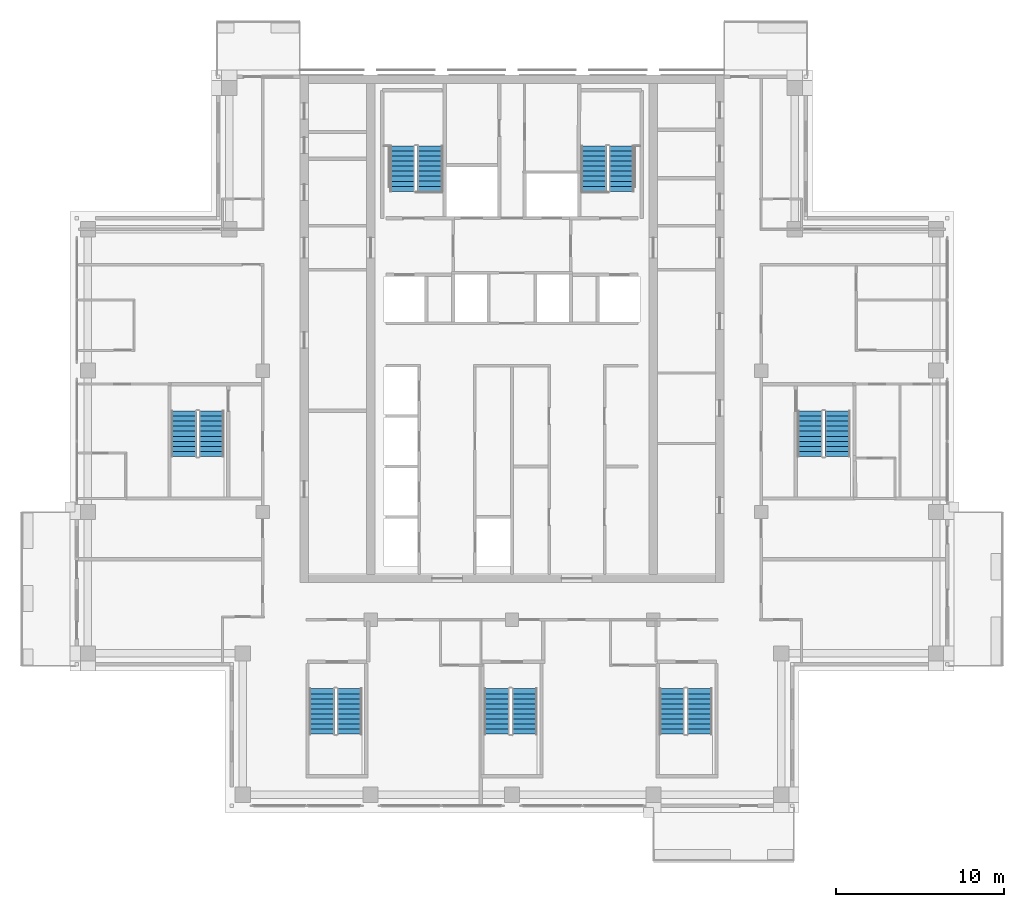
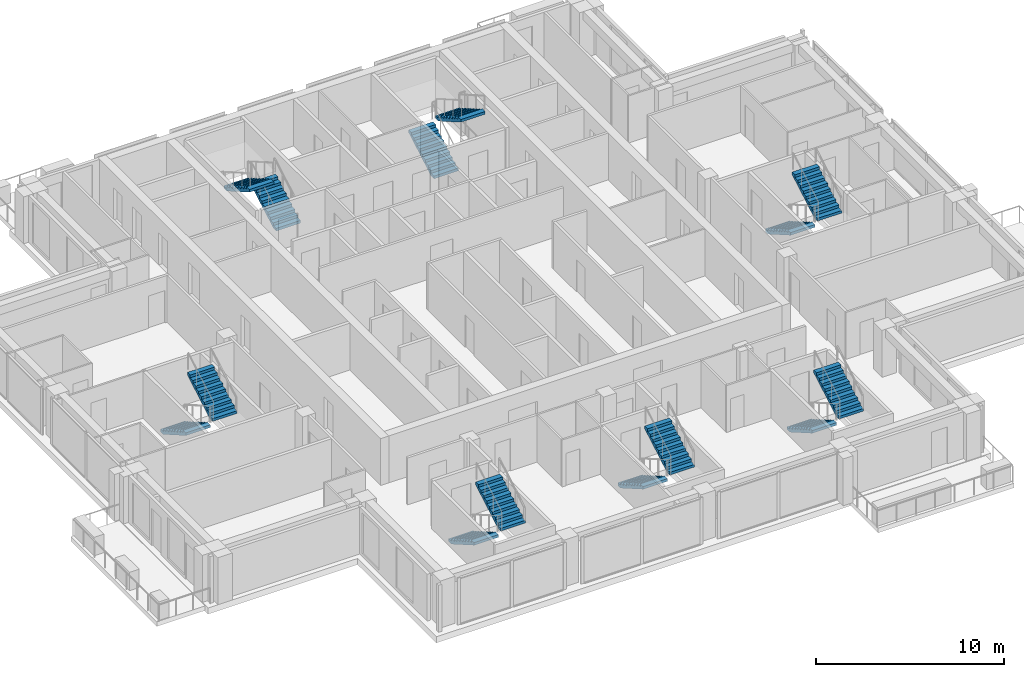
# One storey, part 16 of 19: 14 stair flights, 7 elements without a shape of their own.
"""IFC4 building model written with IfcOpenShell, lengths in metres."""

from ifc_helpers import new_model, si_unit, direction, frame, origin, place, context, subcontext, project, spatial, polyline, outline, extrude, material, type_object, element, aggregate, save


model = new_model("IFC4")

# Units and contexts
model_context = context("Model", 3, precision=1e-05, world=origin(), true_north=direction((0.0, 1.0)))
body_context = subcontext(model_context, "Body", "Model", "MODEL_VIEW")
ifc_project = project(units=[si_unit("LENGTHUNIT", "METRE"), si_unit("AREAUNIT", "SQUARE_METRE"), si_unit("VOLUMEUNIT", "CUBIC_METRE"), si_unit("PLANEANGLEUNIT", "RADIAN"), si_unit("MASSUNIT", "GRAM", prefix="KILO")], contexts=[model_context])

# Site, building, storey
site_placement = place(None, origin())
site = spatial("IfcSite", under=ifc_project, at=site_placement, CompositionType="ELEMENT")
building_placement = place(site_placement, origin())
building = spatial("IfcBuilding", under=site, at=building_placement, Name="Vermilion Ogive Tower", CompositionType="ELEMENT")
storey_placement = place(building_placement, frame((0.0, 0.0, 226.89990234375)))
storey = spatial("IfcBuildingStorey", under=building, at=storey_placement, Name="L59", CompositionType="ELEMENT", Elevation=226.89990234375)

# Stair, stair flights
ifc_material_1 = material(Name="Concrete B40", Category="concrete")
stair_type = type_object("IfcStairType", Name="Exit stair 1500", PredefinedType="HALF_TURN_STAIR", material=ifc_material_1)
stair_1_placement = place(storey_placement, origin())
stair_1 = element("IfcStair", 1, at=stair_1_placement, inside=storey, type_object=stair_type, Name="L59 Exit Stair ST1", PredefinedType="HALF_TURN_STAIR")
ifc_material_2 = material(Name="Concrete B40", Category="concrete")
stair_flight_type = type_object("IfcStairFlightType", Name="Stair flight 1500", PredefinedType="STRAIGHT", material=ifc_material_2)
stair_flight_1_placement = place(storey_placement, frame((-4.85009765625, 14.85009765625, 0.0), z_axis=(0.0, 0.0, 1.0), x_axis=(0.0, 1.0, 0.0)))
stair_flight_1 = element("IfcStairFlight", 2, at=stair_flight_1_placement, type_object=stair_flight_type, Name="ST1 flight 1", NumberOfRisers=10, NumberOfTreads=9, PredefinedType="STRAIGHT", RiserHeight=0.1725, TreadLength=0.3, context=body_context, shape_type="SweptSolid", body=[
    extrude(outline(polyline([(0.0, 0.0), (0.0, 0.172607421875), (0.300048828125, 0.172607421875), (0.300048828125, 0.344970703125), (0.60009765625, 0.344970703125), (0.60009765625, 0.517578125), (0.89990234375, 0.517578125), (0.89990234375, 0.68994140625), (1.199951171875, 0.68994140625), (1.199951171875, 0.862548828125), (1.5, 0.862548828125), (1.5, 1.034912109375), (1.800048828125, 1.034912109375), (1.800048828125, 1.20751953125), (2.10009765625, 1.20751953125), (2.10009765625, 1.3798828125), (2.39990234375, 1.3798828125), (2.39990234375, 1.552490234375), (2.699951171875, 1.552490234375), (2.699951171875, 1.72509765625), (2.699951171875, 1.379638671875), (0.30078125, 0.0), (0.0, 0.0)])), frame((0.0, 0.75, 0.0), z_axis=(0.0, -1.0, 0.0), x_axis=(1.0, 0.0, 0.0)), (0.0, 0.0, 1.0), 1.5),
])
stair_flight_2_placement = place(storey_placement, frame((-6.5, 17.550048828125, 1.72509765625), z_axis=(0.0, 0.0, 1.0), x_axis=(0.0, -1.0, 0.0)))
stair_flight_2 = element("IfcStairFlight", 3, at=stair_flight_2_placement, type_object=stair_flight_type, Name="ST1 flight 2", NumberOfRisers=10, NumberOfTreads=9, PredefinedType="STRAIGHT", RiserHeight=0.1725, TreadLength=0.3, context=body_context, shape_type="SweptSolid", body=[
    extrude(outline(polyline([(0.0, 0.0), (0.0, 0.172607421875), (0.300048828125, 0.172607421875), (0.300048828125, 0.344970703125), (0.60009765625, 0.344970703125), (0.60009765625, 0.517578125), (0.89990234375, 0.517578125), (0.89990234375, 0.68994140625), (1.199951171875, 0.68994140625), (1.199951171875, 0.862548828125), (1.5, 0.862548828125), (1.5, 1.034912109375), (1.800048828125, 1.034912109375), (1.800048828125, 1.20751953125), (2.10009765625, 1.20751953125), (2.10009765625, 1.3798828125), (2.39990234375, 1.3798828125), (2.39990234375, 1.552490234375), (2.699951171875, 1.552490234375), (2.699951171875, 1.72509765625), (2.699951171875, 1.379638671875), (0.30078125, 0.0), (0.0, 0.0)])), frame((0.0, 0.75, 0.0), z_axis=(0.0, -1.0, 0.0), x_axis=(1.0, 0.0, 0.0)), (0.0, 0.0, 1.0), 1.5),
])
aggregate(stair_1, [stair_flight_1, stair_flight_2])

stair_2_placement = place(storey_placement, origin())
stair_2 = element("IfcStair", 4, at=stair_2_placement, inside=storey, type_object=stair_type, Name="L59 Exit Stair ST2", PredefinedType="HALF_TURN_STAIR")
stair_flight_3_placement = place(storey_placement, frame((4.85009765625, 14.85009765625, 0.0), z_axis=(0.0, 0.0, 1.0), x_axis=(0.0, 1.0, 0.0)))
stair_flight_3 = element("IfcStairFlight", 5, at=stair_flight_3_placement, type_object=stair_flight_type, Name="ST2 flight 1", NumberOfRisers=10, NumberOfTreads=9, PredefinedType="STRAIGHT", RiserHeight=0.1725, TreadLength=0.3, context=body_context, shape_type="SweptSolid", body=[
    extrude(outline(polyline([(0.0, 0.0), (0.0, 0.172607421875), (0.300048828125, 0.172607421875), (0.300048828125, 0.344970703125), (0.60009765625, 0.344970703125), (0.60009765625, 0.517578125), (0.89990234375, 0.517578125), (0.89990234375, 0.68994140625), (1.199951171875, 0.68994140625), (1.199951171875, 0.862548828125), (1.5, 0.862548828125), (1.5, 1.034912109375), (1.800048828125, 1.034912109375), (1.800048828125, 1.20751953125), (2.10009765625, 1.20751953125), (2.10009765625, 1.3798828125), (2.39990234375, 1.3798828125), (2.39990234375, 1.552490234375), (2.699951171875, 1.552490234375), (2.699951171875, 1.72509765625), (2.699951171875, 1.379638671875), (0.30078125, 0.0), (0.0, 0.0)])), frame((0.0, 0.75, 0.0), z_axis=(0.0, -1.0, 0.0), x_axis=(1.0, 0.0, 0.0)), (0.0, 0.0, 1.0), 1.5),
])
stair_flight_4_placement = place(storey_placement, frame((6.5, 17.550048828125, 1.72509765625), z_axis=(0.0, 0.0, 1.0), x_axis=(0.0, -1.0, 0.0)))
stair_flight_4 = element("IfcStairFlight", 6, at=stair_flight_4_placement, type_object=stair_flight_type, Name="ST2 flight 2", NumberOfRisers=10, NumberOfTreads=9, PredefinedType="STRAIGHT", RiserHeight=0.1725, TreadLength=0.3, context=body_context, shape_type="SweptSolid", body=[
    extrude(outline(polyline([(0.0, 0.0), (0.0, 0.172607421875), (0.300048828125, 0.172607421875), (0.300048828125, 0.344970703125), (0.60009765625, 0.344970703125), (0.60009765625, 0.517578125), (0.89990234375, 0.517578125), (0.89990234375, 0.68994140625), (1.199951171875, 0.68994140625), (1.199951171875, 0.862548828125), (1.5, 0.862548828125), (1.5, 1.034912109375), (1.800048828125, 1.034912109375), (1.800048828125, 1.20751953125), (2.10009765625, 1.20751953125), (2.10009765625, 1.3798828125), (2.39990234375, 1.3798828125), (2.39990234375, 1.552490234375), (2.699951171875, 1.552490234375), (2.699951171875, 1.72509765625), (2.699951171875, 1.379638671875), (0.30078125, 0.0), (0.0, 0.0)])), frame((0.0, 0.75, 0.0), z_axis=(0.0, -1.0, 0.0), x_axis=(1.0, 0.0, 0.0)), (0.0, 0.0, 1.0), 1.5),
])
aggregate(stair_2, [stair_flight_3, stair_flight_4])

stair_3_placement = place(storey_placement, origin())
stair_3 = element("IfcStair", 7, at=stair_3_placement, inside=storey, type_object=stair_type, Name="L59 Exit Stair ST3", PredefinedType="HALF_TURN_STAIR")
stair_flight_5_placement = place(storey_placement, frame((-11.300048828125, -14.699951171875, 0.0), z_axis=(0.0, 0.0, 1.0), x_axis=(0.0, -1.0, 0.0)))
stair_flight_5 = element("IfcStairFlight", 8, at=stair_flight_5_placement, type_object=stair_flight_type, Name="ST3 flight 1", NumberOfRisers=10, NumberOfTreads=9, PredefinedType="STRAIGHT", RiserHeight=0.1725, TreadLength=0.3, context=body_context, shape_type="SweptSolid", body=[
    extrude(outline(polyline([(0.0, 0.0), (0.0, 0.172607421875), (0.300048828125, 0.172607421875), (0.300048828125, 0.344970703125), (0.60009765625, 0.344970703125), (0.60009765625, 0.517578125), (0.89990234375, 0.517578125), (0.89990234375, 0.68994140625), (1.199951171875, 0.68994140625), (1.199951171875, 0.862548828125), (1.5, 0.862548828125), (1.5, 1.034912109375), (1.800048828125, 1.034912109375), (1.800048828125, 1.20751953125), (2.10009765625, 1.20751953125), (2.10009765625, 1.3798828125), (2.39990234375, 1.3798828125), (2.39990234375, 1.552490234375), (2.699951171875, 1.552490234375), (2.699951171875, 1.72509765625), (2.699951171875, 1.379638671875), (0.30078125, 0.0), (0.0, 0.0)])), frame((0.0, 0.75, 0.0), z_axis=(0.0, -1.0, 0.0), x_axis=(1.0, 0.0, 0.0)), (0.0, 0.0, 1.0), 1.5),
])
stair_flight_6_placement = place(storey_placement, frame((-9.64990234375, -17.39990234375, 1.72509765625), z_axis=(0.0, 0.0, 1.0), x_axis=(0.0, 1.0, 0.0)))
stair_flight_6 = element("IfcStairFlight", 9, at=stair_flight_6_placement, type_object=stair_flight_type, Name="ST3 flight 2", NumberOfRisers=10, NumberOfTreads=9, PredefinedType="STRAIGHT", RiserHeight=0.1725, TreadLength=0.3, context=body_context, shape_type="SweptSolid", body=[
    extrude(outline(polyline([(0.0, 0.0), (0.0, 0.172607421875), (0.300048828125, 0.172607421875), (0.300048828125, 0.344970703125), (0.60009765625, 0.344970703125), (0.60009765625, 0.517578125), (0.89990234375, 0.517578125), (0.89990234375, 0.68994140625), (1.199951171875, 0.68994140625), (1.199951171875, 0.862548828125), (1.5, 0.862548828125), (1.5, 1.034912109375), (1.800048828125, 1.034912109375), (1.800048828125, 1.20751953125), (2.10009765625, 1.20751953125), (2.10009765625, 1.3798828125), (2.39990234375, 1.3798828125), (2.39990234375, 1.552490234375), (2.699951171875, 1.552490234375), (2.699951171875, 1.72509765625), (2.699951171875, 1.379638671875), (0.30078125, 0.0), (0.0, 0.0)])), frame((0.0, 0.75, 0.0), z_axis=(0.0, -1.0, 0.0), x_axis=(1.0, 0.0, 0.0)), (0.0, 0.0, 1.0), 1.5),
])
aggregate(stair_3, [stair_flight_5, stair_flight_6])

stair_4_placement = place(storey_placement, origin())
stair_4 = element("IfcStair", 10, at=stair_4_placement, inside=storey, type_object=stair_type, Name="L59 Exit Stair ST4", PredefinedType="HALF_TURN_STAIR")
stair_flight_7_placement = place(storey_placement, frame((-0.89990234375, -14.699951171875, 0.0), z_axis=(0.0, 0.0, 1.0), x_axis=(0.0, -1.0, 0.0)))
stair_flight_7 = element("IfcStairFlight", 11, at=stair_flight_7_placement, type_object=stair_flight_type, Name="ST4 flight 1", NumberOfRisers=10, NumberOfTreads=9, PredefinedType="STRAIGHT", RiserHeight=0.1725, TreadLength=0.3, context=body_context, shape_type="SweptSolid", body=[
    extrude(outline(polyline([(0.0, 0.0), (0.0, 0.172607421875), (0.300048828125, 0.172607421875), (0.300048828125, 0.344970703125), (0.60009765625, 0.344970703125), (0.60009765625, 0.517578125), (0.89990234375, 0.517578125), (0.89990234375, 0.68994140625), (1.199951171875, 0.68994140625), (1.199951171875, 0.862548828125), (1.5, 0.862548828125), (1.5, 1.034912109375), (1.800048828125, 1.034912109375), (1.800048828125, 1.20751953125), (2.10009765625, 1.20751953125), (2.10009765625, 1.3798828125), (2.39990234375, 1.3798828125), (2.39990234375, 1.552490234375), (2.699951171875, 1.552490234375), (2.699951171875, 1.72509765625), (2.699951171875, 1.379638671875), (0.30078125, 0.0), (0.0, 0.0)])), frame((0.0, 0.75, 0.0), z_axis=(0.0, -1.0, 0.0), x_axis=(1.0, 0.0, 0.0)), (0.0, 0.0, 1.0), 1.5),
])
stair_flight_8_placement = place(storey_placement, frame((0.75, -17.39990234375, 1.72509765625), z_axis=(0.0, 0.0, 1.0), x_axis=(0.0, 1.0, 0.0)))
stair_flight_8 = element("IfcStairFlight", 12, at=stair_flight_8_placement, type_object=stair_flight_type, Name="ST4 flight 2", NumberOfRisers=10, NumberOfTreads=9, PredefinedType="STRAIGHT", RiserHeight=0.1725, TreadLength=0.3, context=body_context, shape_type="SweptSolid", body=[
    extrude(outline(polyline([(0.0, 0.0), (0.0, 0.172607421875), (0.300048828125, 0.172607421875), (0.300048828125, 0.344970703125), (0.60009765625, 0.344970703125), (0.60009765625, 0.517578125), (0.89990234375, 0.517578125), (0.89990234375, 0.68994140625), (1.199951171875, 0.68994140625), (1.199951171875, 0.862548828125), (1.5, 0.862548828125), (1.5, 1.034912109375), (1.800048828125, 1.034912109375), (1.800048828125, 1.20751953125), (2.10009765625, 1.20751953125), (2.10009765625, 1.3798828125), (2.39990234375, 1.3798828125), (2.39990234375, 1.552490234375), (2.699951171875, 1.552490234375), (2.699951171875, 1.72509765625), (2.699951171875, 1.379638671875), (0.30078125, 0.0), (0.0, 0.0)])), frame((0.0, 0.75, 0.0), z_axis=(0.0, -1.0, 0.0), x_axis=(1.0, 0.0, 0.0)), (0.0, 0.0, 1.0), 1.5),
])
aggregate(stair_4, [stair_flight_7, stair_flight_8])

stair_5_placement = place(storey_placement, origin())
stair_5 = element("IfcStair", 13, at=stair_5_placement, inside=storey, type_object=stair_type, Name="L59 Exit Stair ST5", PredefinedType="HALF_TURN_STAIR")
stair_flight_9_placement = place(storey_placement, frame((9.5, -14.699951171875, 0.0), z_axis=(0.0, 0.0, 1.0), x_axis=(0.0, -1.0, 0.0)))
stair_flight_9 = element("IfcStairFlight", 14, at=stair_flight_9_placement, type_object=stair_flight_type, Name="ST5 flight 1", NumberOfRisers=10, NumberOfTreads=9, PredefinedType="STRAIGHT", RiserHeight=0.1725, TreadLength=0.3, context=body_context, shape_type="SweptSolid", body=[
    extrude(outline(polyline([(0.0, 0.0), (0.0, 0.172607421875), (0.300048828125, 0.172607421875), (0.300048828125, 0.344970703125), (0.60009765625, 0.344970703125), (0.60009765625, 0.517578125), (0.89990234375, 0.517578125), (0.89990234375, 0.68994140625), (1.199951171875, 0.68994140625), (1.199951171875, 0.862548828125), (1.5, 0.862548828125), (1.5, 1.034912109375), (1.800048828125, 1.034912109375), (1.800048828125, 1.20751953125), (2.10009765625, 1.20751953125), (2.10009765625, 1.3798828125), (2.39990234375, 1.3798828125), (2.39990234375, 1.552490234375), (2.699951171875, 1.552490234375), (2.699951171875, 1.72509765625), (2.699951171875, 1.379638671875), (0.30078125, 0.0), (0.0, 0.0)])), frame((0.0, 0.75, 0.0), z_axis=(0.0, -1.0, 0.0), x_axis=(1.0, 0.0, 0.0)), (0.0, 0.0, 1.0), 1.5),
])
stair_flight_10_placement = place(storey_placement, frame((11.14990234375, -17.39990234375, 1.72509765625), z_axis=(0.0, 0.0, 1.0), x_axis=(0.0, 1.0, 0.0)))
stair_flight_10 = element("IfcStairFlight", 15, at=stair_flight_10_placement, type_object=stair_flight_type, Name="ST5 flight 2", NumberOfRisers=10, NumberOfTreads=9, PredefinedType="STRAIGHT", RiserHeight=0.1725, TreadLength=0.3, context=body_context, shape_type="SweptSolid", body=[
    extrude(outline(polyline([(0.0, 0.0), (0.0, 0.172607421875), (0.300048828125, 0.172607421875), (0.300048828125, 0.344970703125), (0.60009765625, 0.344970703125), (0.60009765625, 0.517578125), (0.89990234375, 0.517578125), (0.89990234375, 0.68994140625), (1.199951171875, 0.68994140625), (1.199951171875, 0.862548828125), (1.5, 0.862548828125), (1.5, 1.034912109375), (1.800048828125, 1.034912109375), (1.800048828125, 1.20751953125), (2.10009765625, 1.20751953125), (2.10009765625, 1.3798828125), (2.39990234375, 1.3798828125), (2.39990234375, 1.552490234375), (2.699951171875, 1.552490234375), (2.699951171875, 1.72509765625), (2.699951171875, 1.379638671875), (0.30078125, 0.0), (0.0, 0.0)])), frame((0.0, 0.75, 0.0), z_axis=(0.0, -1.0, 0.0), x_axis=(1.0, 0.0, 0.0)), (0.0, 0.0, 1.0), 1.5),
])
aggregate(stair_5, [stair_flight_9, stair_flight_10])

stair_6_placement = place(storey_placement, origin())
stair_6 = element("IfcStair", 16, at=stair_6_placement, inside=storey, type_object=stair_type, Name="L59 Exit Stair ST8", PredefinedType="HALF_TURN_STAIR")
stair_flight_11_placement = place(storey_placement, frame((17.699951171875, 1.800048828125, 0.0), z_axis=(0.0, 0.0, 1.0), x_axis=(0.0, -1.0, 0.0)))
stair_flight_11 = element("IfcStairFlight", 17, at=stair_flight_11_placement, type_object=stair_flight_type, Name="ST8 flight 1", NumberOfRisers=10, NumberOfTreads=9, PredefinedType="STRAIGHT", RiserHeight=0.1725, TreadLength=0.3, context=body_context, shape_type="SweptSolid", body=[
    extrude(outline(polyline([(0.0, 0.0), (0.0, 0.172607421875), (0.300048828125, 0.172607421875), (0.300048828125, 0.344970703125), (0.60009765625, 0.344970703125), (0.60009765625, 0.517578125), (0.89990234375, 0.517578125), (0.89990234375, 0.68994140625), (1.199951171875, 0.68994140625), (1.199951171875, 0.862548828125), (1.5, 0.862548828125), (1.5, 1.034912109375), (1.800048828125, 1.034912109375), (1.800048828125, 1.20751953125), (2.10009765625, 1.20751953125), (2.10009765625, 1.3798828125), (2.39990234375, 1.3798828125), (2.39990234375, 1.552490234375), (2.699951171875, 1.552490234375), (2.699951171875, 1.72509765625), (2.699951171875, 1.379638671875), (0.30078125, 0.0), (0.0, 0.0)])), frame((0.0, 0.75, 0.0), z_axis=(0.0, -1.0, 0.0), x_axis=(1.0, 0.0, 0.0)), (0.0, 0.0, 1.0), 1.5),
])
stair_flight_12_placement = place(storey_placement, frame((19.35009765625, -0.89990234375, 1.72509765625), z_axis=(0.0, 0.0, 1.0), x_axis=(0.0, 1.0, 0.0)))
stair_flight_12 = element("IfcStairFlight", 18, at=stair_flight_12_placement, type_object=stair_flight_type, Name="ST8 flight 2", NumberOfRisers=10, NumberOfTreads=9, PredefinedType="STRAIGHT", RiserHeight=0.1725, TreadLength=0.3, context=body_context, shape_type="SweptSolid", body=[
    extrude(outline(polyline([(0.0, 0.0), (0.0, 0.172607421875), (0.300048828125, 0.172607421875), (0.300048828125, 0.344970703125), (0.60009765625, 0.344970703125), (0.60009765625, 0.517578125), (0.89990234375, 0.517578125), (0.89990234375, 0.68994140625), (1.199951171875, 0.68994140625), (1.199951171875, 0.862548828125), (1.5, 0.862548828125), (1.5, 1.034912109375), (1.800048828125, 1.034912109375), (1.800048828125, 1.20751953125), (2.10009765625, 1.20751953125), (2.10009765625, 1.3798828125), (2.39990234375, 1.3798828125), (2.39990234375, 1.552490234375), (2.699951171875, 1.552490234375), (2.699951171875, 1.72509765625), (2.699951171875, 1.379638671875), (0.30078125, 0.0), (0.0, 0.0)])), frame((0.0, 0.75, 0.0), z_axis=(0.0, -1.0, 0.0), x_axis=(1.0, 0.0, 0.0)), (0.0, 0.0, 1.0), 1.5),
])
aggregate(stair_6, [stair_flight_11, stair_flight_12])

stair_7_placement = place(storey_placement, origin())
stair_7 = element("IfcStair", 19, at=stair_7_placement, inside=storey, type_object=stair_type, Name="L59 Exit Stair ST9", PredefinedType="HALF_TURN_STAIR")
stair_flight_13_placement = place(storey_placement, frame((-19.5, 1.800048828125, 0.0), z_axis=(0.0, 0.0, 1.0), x_axis=(0.0, -1.0, 0.0)))
stair_flight_13 = element("IfcStairFlight", 20, at=stair_flight_13_placement, type_object=stair_flight_type, Name="ST9 flight 1", NumberOfRisers=10, NumberOfTreads=9, PredefinedType="STRAIGHT", RiserHeight=0.1725, TreadLength=0.3, context=body_context, shape_type="SweptSolid", body=[
    extrude(outline(polyline([(0.0, 0.0), (0.0, 0.172607421875), (0.300048828125, 0.172607421875), (0.300048828125, 0.344970703125), (0.60009765625, 0.344970703125), (0.60009765625, 0.517578125), (0.89990234375, 0.517578125), (0.89990234375, 0.68994140625), (1.199951171875, 0.68994140625), (1.199951171875, 0.862548828125), (1.5, 0.862548828125), (1.5, 1.034912109375), (1.800048828125, 1.034912109375), (1.800048828125, 1.20751953125), (2.10009765625, 1.20751953125), (2.10009765625, 1.3798828125), (2.39990234375, 1.3798828125), (2.39990234375, 1.552490234375), (2.699951171875, 1.552490234375), (2.699951171875, 1.72509765625), (2.699951171875, 1.379638671875), (0.30078125, 0.0), (0.0, 0.0)])), frame((0.0, 0.75, 0.0), z_axis=(0.0, -1.0, 0.0), x_axis=(1.0, 0.0, 0.0)), (0.0, 0.0, 1.0), 1.5),
])
stair_flight_14_placement = place(storey_placement, frame((-17.85009765625, -0.89990234375, 1.72509765625), z_axis=(0.0, 0.0, 1.0), x_axis=(0.0, 1.0, 0.0)))
stair_flight_14 = element("IfcStairFlight", 21, at=stair_flight_14_placement, type_object=stair_flight_type, Name="ST9 flight 2", NumberOfRisers=10, NumberOfTreads=9, PredefinedType="STRAIGHT", RiserHeight=0.1725, TreadLength=0.3, context=body_context, shape_type="SweptSolid", body=[
    extrude(outline(polyline([(0.0, 0.0), (0.0, 0.172607421875), (0.300048828125, 0.172607421875), (0.300048828125, 0.344970703125), (0.60009765625, 0.344970703125), (0.60009765625, 0.517578125), (0.89990234375, 0.517578125), (0.89990234375, 0.68994140625), (1.199951171875, 0.68994140625), (1.199951171875, 0.862548828125), (1.5, 0.862548828125), (1.5, 1.034912109375), (1.800048828125, 1.034912109375), (1.800048828125, 1.20751953125), (2.10009765625, 1.20751953125), (2.10009765625, 1.3798828125), (2.39990234375, 1.3798828125), (2.39990234375, 1.552490234375), (2.699951171875, 1.552490234375), (2.699951171875, 1.72509765625), (2.699951171875, 1.379638671875), (0.30078125, 0.0), (0.0, 0.0)])), frame((0.0, 0.75, 0.0), z_axis=(0.0, -1.0, 0.0), x_axis=(1.0, 0.0, 0.0)), (0.0, 0.0, 1.0), 1.5),
])
aggregate(stair_7, [stair_flight_13, stair_flight_14])

save(model, "model.ifc")
